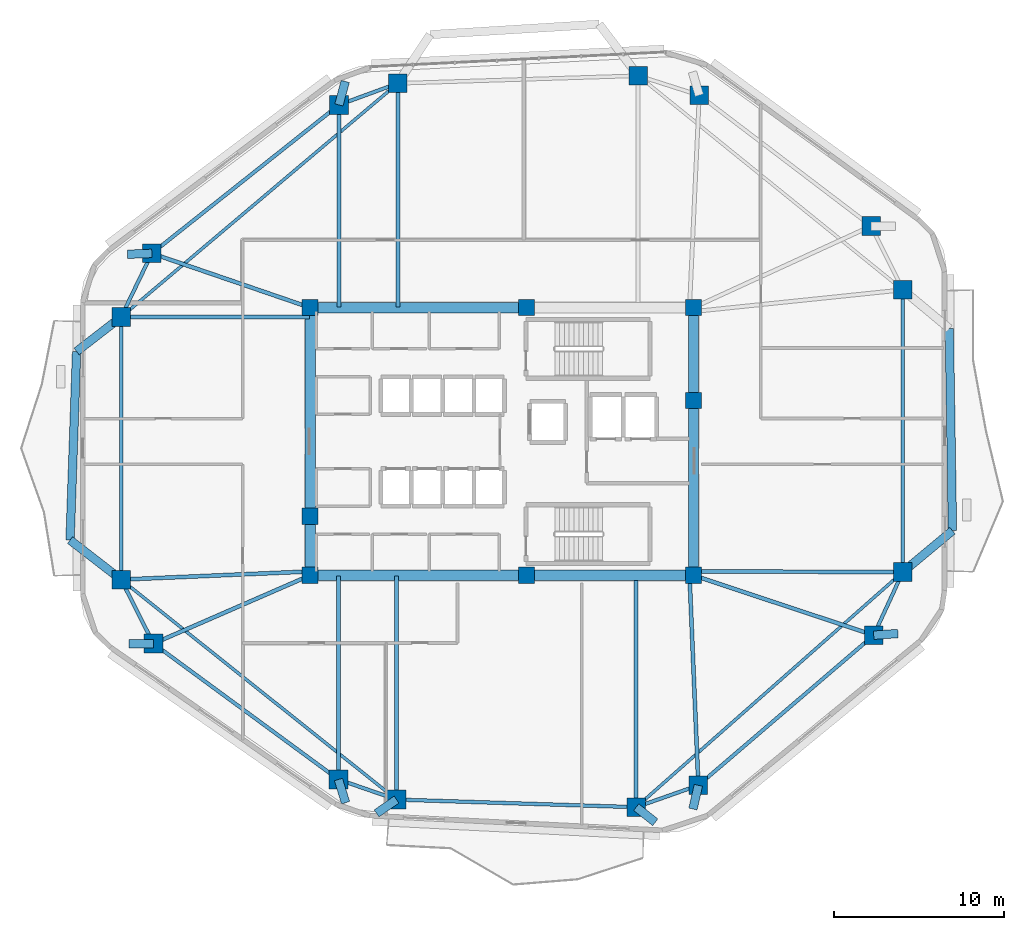
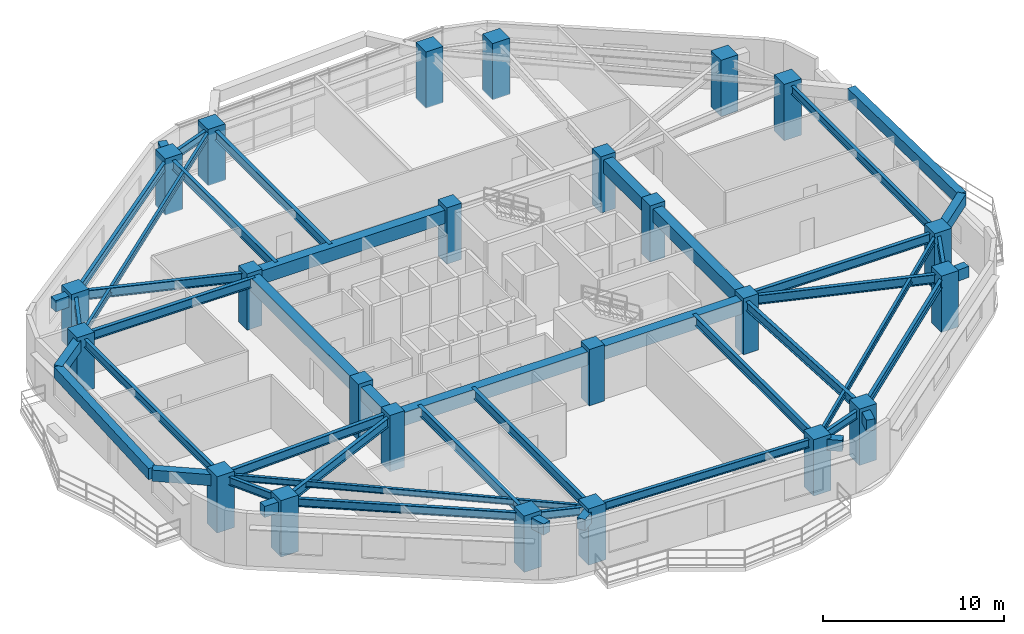
# One storey, part 1 of 14: 47 beams, 24 columns.
"""IFC4 building model written with IfcOpenShell, lengths in metres."""

import ifcopenshell
import ifcopenshell.guid

model = None  # the IFC model being written
_history = None  # IfcOwnerHistory: only IFC2X3 demands one
_inside = {}  # id of a spatial element -> (the spatial element, [elements in it])
_under = {}  # id of a project, library or spatial element -> (it, [spatial elements below it])
_declared = {}  # id of a project -> (the project, [libraries it declares])
_typed = {}  # id of a type object -> (the type object, [elements of that type])
_made_of = {}  # id of a material, layer set ... -> (it, [elements and type objects made of it])


def new_model(schema):
    """Start an empty IFC model of exactly this schema.

    Asked for "IFC4X3", IfcOpenShell would pick the latest addendum, in which some entities
    have other attributes; the version numbers below select the first issue.
    IFC2X3 requires an IfcOwnerHistory on every rooted entity: one is made here for all.
    """
    global model, _history
    if schema == "IFC4X3":
        model = ifcopenshell.file(schema_version=(4, 3, 0, 0))
    else:
        model = ifcopenshell.file(schema=schema)
    _inside.clear()
    _under.clear()
    _declared.clear()
    _typed.clear()
    _made_of.clear()
    _history = None
    if model.schema == "IFC2X3":
        org = make("IfcOrganization", Name="unknown")
        user = make(
            "IfcPersonAndOrganization",
            ThePerson=make("IfcPerson", FamilyName="unknown"),
            TheOrganization=org,
        )
        app = make(
            "IfcApplication",
            ApplicationDeveloper=org,
            Version="unknown",
            ApplicationFullName="unknown",
            ApplicationIdentifier="unknown",
        )
        _history = make(
            "IfcOwnerHistory",
            OwningUser=user,
            OwningApplication=app,
            ChangeAction="ADDED",
            CreationDate=0,
        )
    return model


def make(cls, **values):
    """One entity of the class cls with the attributes given. An attribute that is None is left unset."""
    return model.create_entity(
        cls, **{name: value for name, value in values.items() if value is not None}
    )


def rooted(cls, **values):
    """An entity with a GlobalId (a new one), such as an element, a storey or a relation."""
    return make(cls, GlobalId=ifcopenshell.guid.new(), OwnerHistory=_history, **values)


def si_unit(unit_type, name, prefix=None):
    """IfcSIUnit, for example si_unit("LENGTHUNIT", "METRE", prefix="MILLI")."""
    return make("IfcSIUnit", UnitType=unit_type, Prefix=prefix, Name=name)


def assignment(units):
    """IfcUnitAssignment: the units of a project."""
    return None if units is None else make("IfcUnitAssignment", Units=units)


def point(xyz):
    """IfcCartesianPoint."""
    return None if xyz is None else make("IfcCartesianPoint", Coordinates=xyz)


def direction(xyz):
    """IfcDirection."""
    return None if xyz is None else make("IfcDirection", DirectionRatios=xyz)


def frame(location, z_axis=None, x_axis=None):
    """IfcAxis2Placement3D, a coordinate frame: its origin and axes. An axis left out is left unset."""
    return make(
        "IfcAxis2Placement3D",
        Location=point(location),
        Axis=direction(z_axis),
        RefDirection=direction(x_axis),
    )


def frame_2d(location, x_axis=None):
    """IfcAxis2Placement2D, a coordinate frame in the plane: its origin and x axis."""
    return make(
        "IfcAxis2Placement2D", Location=point(location), RefDirection=direction(x_axis)
    )


def origin():
    """The frame at (0, 0, 0) with its axes left unset."""
    return frame((0.0, 0.0, 0.0))


def origin_2d():
    """The frame at (0, 0) in the plane with its x axis left unset."""
    return frame_2d((0.0, 0.0))


def place(relative_to, where):
    """IfcLocalPlacement: puts the frame where relative to a parent placement (None: the world)."""
    return make(
        "IfcLocalPlacement", PlacementRelTo=relative_to, RelativePlacement=where
    )


def context(
    kind, dimensions, precision=None, world=None, true_north=None, identifier=None
):
    """IfcGeometricRepresentationContext, for example the 3D "Model" context."""
    return make(
        "IfcGeometricRepresentationContext",
        ContextIdentifier=identifier,
        ContextType=kind,
        CoordinateSpaceDimension=dimensions,
        Precision=precision,
        WorldCoordinateSystem=world,
        TrueNorth=true_north,
    )


def subcontext(parent, identifier, kind, view, scale=None):
    """IfcGeometricRepresentationSubContext, for example "Body" below "Model"."""
    return make(
        "IfcGeometricRepresentationSubContext",
        ContextIdentifier=identifier,
        ContextType=kind,
        ParentContext=parent,
        TargetScale=scale,
        TargetView=view,
    )


def project(units=None, contexts=None):
    """IfcProject with its units and contexts."""
    return rooted(
        "IfcProject",
        Name="project",
        RepresentationContexts=contexts,
        UnitsInContext=assignment(units),
    )


def spatial(cls, under=None, at=None, **own):
    """A site, building, storey or space (cls), placed at a placement, below another one or the project."""
    s = rooted(cls, ObjectPlacement=at, **own)
    if under is not None:
        _under.setdefault(under.id(), (under, []))[1].append(s)
    return s


def profile(cls, at=None, kind="AREA", **sizes):
    """A parametric profile (cls). Its sizes go by their IFC names, for example OverallWidth=200.0."""
    return make(cls, ProfileType=kind, Position=at, **sizes)


def rectangle(**sizes):
    """IfcRectangleProfileDef."""
    return profile("IfcRectangleProfileDef", **sizes)


def i_section(**sizes):
    """IfcIShapeProfileDef."""
    return profile("IfcIShapeProfileDef", **sizes)


def extrude(swept, where, along, depth):
    """IfcExtrudedAreaSolid: the profile swept, set in the frame where, extruded along a direction by depth."""
    return make(
        "IfcExtrudedAreaSolid",
        SweptArea=swept,
        Position=where,
        ExtrudedDirection=direction(along),
        Depth=depth,
    )


def shape(context_of_items, identifier, shape_type, items):
    """IfcShapeRepresentation: the items that make up one representation, for example the "Body"."""
    return make(
        "IfcShapeRepresentation",
        ContextOfItems=context_of_items,
        RepresentationIdentifier=identifier,
        RepresentationType=shape_type,
        Items=items,
    )


def material(Name=None, Category=None):
    """IfcMaterial."""
    return make("IfcMaterial", Name=Name, Category=Category)


def material_profile(
    of_material, cross_section, Name=None, Category=None, Priority=None
):
    """IfcMaterialProfile: a cross section and its material."""
    return make(
        "IfcMaterialProfile",
        Name=Name,
        Material=of_material,
        Profile=cross_section,
        Priority=Priority,
        Category=Category,
    )


def profile_set(profiles, Name=None, composite=None):
    """IfcMaterialProfileSet."""
    return make(
        "IfcMaterialProfileSet",
        Name=Name,
        MaterialProfiles=profiles,
        CompositeProfile=composite,
    )


def made_of(thing, what):
    """Note that an element or type object is made of a material, layer set ...; save() writes the relation."""
    if what is not None:
        _made_of.setdefault(what.id(), (what, []))[1].append(thing)
    return thing


def type_object(cls, material=None, **own):
    """A type object (cls), such as IfcWallType, which elements share."""
    return made_of(rooted(cls, **own), material)


def element(
    cls,
    number,
    at=None,
    inside=None,
    cuts=None,
    type_object=None,
    material=None,
    context=None,
    identifier="Body",
    shape_type=None,
    held_by="IfcProductDefinitionShape",
    body=None,
    shapes=None,
    **own,
):
    """One element of the class cls, such as IfcWall. Its Tag is "e" and its number.

    at: its placement. inside: the storey or other place that contains it. cuts: it is an
    opening in that element (IfcRelVoidsElement). A single representation is given by context,
    identifier, shape_type and body (its items); several are given by shapes. held_by: the class
    of the entity that holds the representations. save() writes the other relations.
    """
    e = rooted(cls, Tag="e%d" % number, ObjectPlacement=at, **own)
    if body is not None:
        shapes = [shape(context, identifier, shape_type, body)]
    if shapes is not None:
        e.Representation = make(held_by, Representations=shapes)
    if inside is not None:
        _inside.setdefault(inside.id(), (inside, []))[1].append(e)
    if cuts is not None:
        rooted(
            "IfcRelVoidsElement", RelatingBuildingElement=cuts, RelatedOpeningElement=e
        )
    if type_object is not None:
        _typed.setdefault(type_object.id(), (type_object, []))[1].append(e)
    return made_of(e, material)


def aggregate(whole, parts):
    """IfcRelAggregates: a whole, such as a stair, and the parts it consists of."""
    return rooted("IfcRelAggregates", RelatingObject=whole, RelatedObjects=parts)


def save(model, path):
    """Write the relations noted so far, then the file.

    IfcRelAggregates (storeys below a building ...), IfcRelContainedInSpatialStructure (elements
    in a storey), IfcRelDefinesByType, IfcRelAssociatesMaterial and IfcRelDeclares: one each for
    every whole, place, type object, material and project.
    """
    for whole, parts in _under.values():
        aggregate(whole, parts)
    for where, things in _inside.values():
        rooted(
            "IfcRelContainedInSpatialStructure",
            RelatedElements=things,
            RelatingStructure=where,
        )
    for kind, things in _typed.values():
        rooted("IfcRelDefinesByType", RelatedObjects=things, RelatingType=kind)
    for what, things in _made_of.values():
        rooted("IfcRelAssociatesMaterial", RelatedObjects=things, RelatingMaterial=what)
    for by, libraries in _declared.values():
        rooted("IfcRelDeclares", RelatingContext=by, RelatedDefinitions=libraries)
    model.write(path)


model = new_model("IFC4")

# Units and contexts
model_context = context("Model", 3, precision=1e-05, world=origin(), true_north=direction((0.0, 1.0)))
body_context = subcontext(model_context, "Body", "Model", "MODEL_VIEW")
ifc_project = project(units=[si_unit("LENGTHUNIT", "METRE"), si_unit("AREAUNIT", "SQUARE_METRE"), si_unit("VOLUMEUNIT", "CUBIC_METRE"), si_unit("PLANEANGLEUNIT", "RADIAN"), si_unit("MASSUNIT", "GRAM", prefix="KILO")], contexts=[model_context])

# Site, building, storey
site_placement = place(None, origin())
site = spatial("IfcSite", under=ifc_project, at=site_placement, CompositionType="ELEMENT")
building_placement = place(site_placement, origin())
building = spatial("IfcBuilding", under=site, at=building_placement, Name="Zulverin Broadcast Headquarters", CompositionType="ELEMENT")
storey_placement = place(building_placement, frame((0.0, 0.0, 147.800048828125)))
storey = spatial("IfcBuildingStorey", under=building, at=storey_placement, Name="L37", CompositionType="ELEMENT", Elevation=147.800048828125)

# Columns
ifc_material_1 = material(Name="Concrete C60/75", Category="concrete")
ifc_material_profile_1 = material_profile(ifc_material_1, rectangle(XDim=1.10009765625, YDim=1.10009765625, at=origin_2d()), Name="Concrete C60/75", Category="concrete")
ifc_profile_set_1 = profile_set([ifc_material_profile_1], Name="Concrete C60/75")
column_type_1 = type_object("IfcColumnType", Name="COL-RC-1100", PredefinedType="COLUMN", material=ifc_profile_set_1)
for number, where, z_axis, x_axis, name in (
    (1, (30.80859375, 4.12744140625, 0.0), (0.0, 0.0, 1.0), (1.0, 0.0, 0.0), "L37 Perimeter Column T01"),
    (2, (44.909912109375, 3.68017578125, 0.0), (0.0, 0.0, 1.0), (1.0, 0.0, 0.0), "L37 Perimeter Column T02"),
    (3, (48.569580078125, 4.967041015625, 0.0), (0.0, 0.0, 1.0), (1.0, 0.0, 0.0), "L37 Perimeter Column T03"),
    (4, (58.886962890625, 13.798095703125, 0.0), (0.0, 0.0, 1.0), (1.0, 0.0, 0.0), "L37 Perimeter Column T04"),
    (5, (60.60009765625, 17.519287109375, 0.0), (0.0, 0.0, 1.0), (1.0, 0.0, 0.0), "L37 Perimeter Column T05"),
    (6, (60.60009765625, 34.12158203125, 0.0), (0.0, 0.0, 1.0), (1.0, 0.0, 0.0), "L37 Perimeter Column T06"),
    (7, (58.738037109375, 37.877685546875, 0.0), (0.0, 0.0, 1.0), (1.0, 0.0, 0.0), "L37 Perimeter Column T07"),
    (8, (48.62158203125, 45.574951171875, 0.0), (0.0, 0.0, 1.0), (1.0, 0.0, 0.0), "L37 Perimeter Column T08"),
    (9, (45.027587890625, 46.7236328125, 0.0), (0.0, 0.0, 1.0), (1.0, 0.0, 0.0), "L37 Perimeter Column T09"),
    (10, (30.882080078125, 46.27490234375, 0.0), (0.0, 0.0, 1.0), (1.0, 0.0, 0.0), "L37 Perimeter Column T10"),
    (11, (27.416259765625, 45.00439453125, 0.0), (0.0, 0.0, 1.0), (1.0, 0.0, 0.0), "L37 Perimeter Column T11"),
    (12, (16.40869140625, 36.26806640625, 0.0), (0.0, 0.0, 1.0), (1.0, 0.0, 0.0), "L37 Perimeter Column T12"),
    (13, (14.60009765625, 32.523193359375, 0.0), (0.0, 0.0, 1.0), (1.0, 0.0, 0.0), "L37 Perimeter Column T13"),
    (14, (14.60009765625, 17.072021484375, 0.0), (0.0, 0.0, 1.0), (1.0, 0.0, 0.0), "L37 Perimeter Column T14"),
    (15, (16.50537109375, 13.306884765625, 0.0), (0.0, 0.0, 1.0), (1.0, 0.0, 0.0), "L37 Perimeter Column T15"),
    (16, (27.38720703125, 5.309814453125, 0.0), (0.0, 0.0, 1.0), (1.0, 0.0, 0.0), "L37 Perimeter Column T16"),
):
    element("IfcColumn", number, at=place(storey_placement, frame(where, z_axis=z_axis, x_axis=x_axis)), inside=storey, type_object=column_type_1, Name=name, PredefinedType="COLUMN", context=body_context, shape_type="SweptSolid", body=[
        extrude(rectangle(XDim=1.10009765625, YDim=1.10009765625, at=origin_2d()), origin(), (0.0, 0.0, 1.0), 3.800048828125),
    ])
ifc_material_2 = material(Name="Concrete C50/60", Category="concrete")
ifc_material_profile_2 = material_profile(ifc_material_2, rectangle(XDim=0.949951171875, YDim=0.949951171875, at=origin_2d()), Name="Concrete C50/60", Category="concrete")
ifc_profile_set_2 = profile_set([ifc_material_profile_2], Name="Concrete C50/60")
column_type_2 = type_object("IfcColumnType", Name="PIL-RC-950", PredefinedType="PILASTER", material=ifc_profile_set_2)
for number, where, z_axis, x_axis, name in (
    (17, (25.72509765625, 17.324951171875, 0.0), (0.0, 0.0, 1.0), (1.0, 0.0, 0.0), "L37 Core Pilaster K01"),
    (18, (38.449951171875, 17.324951171875, 0.0), (0.0, 0.0, 1.0), (1.0, 0.0, 0.0), "L37 Core Pilaster K02"),
    (19, (48.27490234375, 17.324951171875, 0.0), (0.0, 0.0, 1.0), (1.0, 0.0, 0.0), "L37 Core Pilaster K03"),
    (20, (48.27490234375, 27.6201171875, 0.0), (0.0, 0.0, 1.0), (1.0, 0.0, 0.0), "L37 Core Pilaster K04"),
    (21, (48.27490234375, 33.074951171875, 0.0), (0.0, 0.0, 1.0), (1.0, 0.0, 0.0), "L37 Core Pilaster K05"),
    (22, (38.449951171875, 33.074951171875, 0.0), (0.0, 0.0, 1.0), (1.0, 0.0, 0.0), "L37 Core Pilaster K06"),
    (23, (25.72509765625, 33.074951171875, 0.0), (0.0, 0.0, 1.0), (1.0, 0.0, 0.0), "L37 Core Pilaster K07"),
    (24, (25.72509765625, 20.800048828125, 0.0), (0.0, 0.0, 1.0), (1.0, 0.0, 0.0), "L37 Core Pilaster K08"),
):
    element("IfcColumn", number, at=place(storey_placement, frame(where, z_axis=z_axis, x_axis=x_axis)), inside=storey, type_object=column_type_2, Name=name, PredefinedType="PILASTER", context=body_context, shape_type="SweptSolid", body=[
        extrude(rectangle(XDim=0.949951171875, YDim=0.949951171875, at=origin_2d()), origin(), (0.0, 0.0, 1.0), 3.800048828125),
    ])

# Beams
ifc_material_profile_3 = material_profile(ifc_material_1, rectangle(XDim=0.60009765625, YDim=0.89990234375, at=origin_2d()), Name="Concrete C60/75", Category="concrete")
ifc_profile_set_3 = profile_set([ifc_material_profile_3], Name="Concrete C60/75")
beam_type_1 = type_object("IfcBeamType", Name="BM-CB-600x900", PredefinedType="LINTEL", material=ifc_profile_set_3)
beam_1_placement = place(storey_placement, frame((25.72509765625, 17.324951171875, 3.08984375), z_axis=(1.0, 0.0, 0.0), x_axis=(0.0, 1.0, 0.0)))
element("IfcBeam", 25, at=beam_1_placement, inside=storey, type_object=beam_type_1, Name="L37 Core Coupling Girder K01-K02", PredefinedType="LINTEL", context=body_context, shape_type="SweptSolid", body=[
    extrude(rectangle(XDim=0.60009765625, YDim=0.89990234375, at=origin_2d()), origin(), (0.0, 0.0, 1.0), 12.724853515625),
])
beam_2_placement = place(storey_placement, frame((38.449951171875, 17.324951171875, 3.08984375), z_axis=(1.0, 0.0, 0.0), x_axis=(0.0, 1.0, 0.0)))
element("IfcBeam", 26, at=beam_2_placement, inside=storey, type_object=beam_type_1, Name="L37 Core Coupling Girder K02-K03", PredefinedType="LINTEL", context=body_context, shape_type="SweptSolid", body=[
    extrude(rectangle(XDim=0.60009765625, YDim=0.89990234375, at=origin_2d()), origin(), (0.0, 0.0, 1.0), 9.824951171875),
])
beam_3_placement = place(storey_placement, frame((48.27490234375, 17.324951171875, 3.08984375), z_axis=(0.0, 1.0, 0.0), x_axis=(-1.0, 0.0, 0.0)))
element("IfcBeam", 27, at=beam_3_placement, inside=storey, type_object=beam_type_1, Name="L37 Core Coupling Girder K03-K04", PredefinedType="LINTEL", context=body_context, shape_type="SweptSolid", body=[
    extrude(rectangle(XDim=0.60009765625, YDim=0.89990234375, at=origin_2d()), origin(), (0.0, 0.0, 1.0), 10.295166015625),
])
beam_4_placement = place(storey_placement, frame((48.27490234375, 27.6201171875, 3.08984375), z_axis=(0.0, 1.0, 0.0), x_axis=(-1.0, 0.0, 0.0)))
element("IfcBeam", 28, at=beam_4_placement, inside=storey, type_object=beam_type_1, Name="L37 Core Coupling Girder K04-K05", PredefinedType="LINTEL", context=body_context, shape_type="SweptSolid", body=[
    extrude(rectangle(XDim=0.60009765625, YDim=0.89990234375, at=origin_2d()), origin(), (0.0, 0.0, 1.0), 5.454833984375),
])
beam_5_placement = place(storey_placement, frame((38.449951171875, 33.074951171875, 3.08984375), z_axis=(-1.0, 0.0, 0.0), x_axis=(0.0, -1.0, 0.0)))
element("IfcBeam", 29, at=beam_5_placement, inside=storey, type_object=beam_type_1, Name="L37 Core Coupling Girder K06-K07", PredefinedType="LINTEL", context=body_context, shape_type="SweptSolid", body=[
    extrude(rectangle(XDim=0.60009765625, YDim=0.89990234375, at=origin_2d()), origin(), (0.0, 0.0, 1.0), 12.724853515625),
])
beam_6_placement = place(storey_placement, frame((25.72509765625, 33.074951171875, 3.08984375), z_axis=(0.0, -1.0, 0.0), x_axis=(1.0, 0.0, 0.0)))
element("IfcBeam", 30, at=beam_6_placement, inside=storey, type_object=beam_type_1, Name="L37 Core Coupling Girder K07-K08", PredefinedType="LINTEL", context=body_context, shape_type="SweptSolid", body=[
    extrude(rectangle(XDim=0.60009765625, YDim=0.89990234375, at=origin_2d()), origin(), (0.0, 0.0, 1.0), 12.27490234375),
])
beam_7_placement = place(storey_placement, frame((25.72509765625, 20.800048828125, 3.08984375), z_axis=(0.0, -1.0, 0.0), x_axis=(1.0, 0.0, 0.0)))
element("IfcBeam", 31, at=beam_7_placement, inside=storey, type_object=beam_type_1, Name="L37 Core Coupling Girder K08-K01", PredefinedType="LINTEL", context=body_context, shape_type="SweptSolid", body=[
    extrude(rectangle(XDim=0.60009765625, YDim=0.89990234375, at=origin_2d()), origin(), (0.0, 0.0, 1.0), 3.47509765625),
])
ifc_material_3 = material(Name="Concrete C40/50", Category="concrete")
ifc_material_profile_4 = material_profile(ifc_material_3, rectangle(XDim=0.5, YDim=0.75, at=origin_2d()), Name="Concrete C40/50", Category="concrete")
ifc_profile_set_4 = profile_set([ifc_material_profile_4], Name="Concrete C40/50")
beam_type_2 = type_object("IfcBeamType", Name="BM-RC-500x750", PredefinedType="BEAM", material=ifc_profile_set_4)
beam_8_placement = place(storey_placement, frame((30.80859375, 4.12744140625, 3.1650390625), z_axis=(-0.822689690684, -0.568490697235, 0.0), x_axis=(0.568490697235, -0.822689690684, 0.0)))
element("IfcBeam", 32, at=beam_8_placement, inside=storey, type_object=beam_type_2, Name="L38 Plate Overhang Back-Spanned Beam OVR-01", PredefinedType="BEAM", context=body_context, shape_type="SweptSolid", body=[
    extrude(rectangle(XDim=0.5, YDim=0.75, at=origin_2d()), origin(), (0.0, 0.0, 1.0), 1.43017578125),
])
beam_9_placement = place(storey_placement, frame((44.909912109375, 3.68017578125, 3.1650390625), z_axis=(0.784900247321, -0.619622144339, 0.0), x_axis=(0.619622144339, 0.784900247321, 0.0)))
element("IfcBeam", 33, at=beam_9_placement, inside=storey, type_object=beam_type_2, Name="L38 Plate Overhang Back-Spanned Beam OVR-02", PredefinedType="BEAM", context=body_context, shape_type="SweptSolid", body=[
    extrude(rectangle(XDim=0.5, YDim=0.75, at=origin_2d()), origin(), (0.0, 0.0, 1.0), 1.429931640625),
])
for number, where, z_axis, x_axis, name in (
    (34, (48.569580078125, 4.967041015625, 3.1650390625), (-0.224497908308, -0.974474570815, 0.0), (0.974474570815, -0.224497908308, 0.0), "L38 Plate Overhang Back-Spanned Beam OVR-03"),
    (35, (58.886962890625, 13.798095703125, 3.1650390625), (0.997450894981, 0.071356233801, 0.0), (-0.071356233801, 0.997450894981, 0.0), "L38 Plate Overhang Back-Spanned Beam OVR-04"),
    (36, (27.416259765625, 45.00439453125, 3.1650390625), (0.260328526912, 0.965520097189, 0.0), (-0.965520097189, 0.260328526912, 0.0), "L38 Plate Overhang Back-Spanned Beam OVR-11"),
):
    element("IfcBeam", number, at=place(storey_placement, frame(where, z_axis=z_axis, x_axis=x_axis)), inside=storey, type_object=beam_type_2, Name=name, PredefinedType="BEAM", context=body_context, shape_type="SweptSolid", body=[
        extrude(rectangle(XDim=0.5, YDim=0.75, at=origin_2d()), origin(), (0.0, 0.0, 1.0), 1.43017578125),
    ])
for number, where, z_axis, x_axis, name in (
    (37, (16.40869140625, 36.26806640625, 3.1650390625), (-0.999411057508, -0.034315275463, 0.0), (0.034315275463, -0.999411057508, 0.0), "L38 Plate Overhang Back-Spanned Beam OVR-12"),
    (38, (16.50537109375, 13.306884765625, 3.1650390625), (-0.999996268726, -0.002731763753, 0.0), (0.002731763753, -0.999996268726, 0.0), "L38 Plate Overhang Back-Spanned Beam OVR-15"),
):
    element("IfcBeam", number, at=place(storey_placement, frame(where, z_axis=z_axis, x_axis=x_axis)), inside=storey, type_object=beam_type_2, Name=name, PredefinedType="BEAM", context=body_context, shape_type="SweptSolid", body=[
        extrude(rectangle(XDim=0.5, YDim=0.75, at=origin_2d()), origin(), (0.0, 0.0, 1.0), 1.429931640625),
    ])
beam_10_placement = place(storey_placement, frame((27.38720703125, 5.309814453125, 3.1650390625), z_axis=(0.296184429368, -0.955130767905, 0.0), x_axis=(0.955130767905, 0.296184429368, 0.0)))
element("IfcBeam", 39, at=beam_10_placement, inside=storey, type_object=beam_type_2, Name="L38 Plate Overhang Back-Spanned Beam OVR-16", PredefinedType="BEAM", context=body_context, shape_type="SweptSolid", body=[
    extrude(rectangle(XDim=0.5, YDim=0.75, at=origin_2d()), origin(), (0.0, 0.0, 1.0), 1.43017578125),
])
beam_11_placement = place(storey_placement, frame((60.60009765625, 17.519287109375, 3.1650390625), z_axis=(0.768400300007, 0.639969514078, 0.0), x_axis=(-0.639969514078, 0.768400300007, 0.0)))
element("IfcBeam", 40, at=beam_11_placement, inside=storey, type_object=beam_type_2, Name="L38 Balcony Column-Framed Cantilever BAL_E-1", PredefinedType="BEAM", context=body_context, shape_type="SweptSolid", body=[
    extrude(rectangle(XDim=0.5, YDim=0.75, at=origin_2d()), origin(), (0.0, 0.0, 1.0), 3.800048828125),
])
beam_12_placement = place(storey_placement, frame((63.52001953125, 19.951171875, 3.1650390625), z_axis=(-0.015457308466, 0.999880528671, 0.0), x_axis=(-0.999880528671, -0.015457308466, 0.0)))
element("IfcBeam", 41, at=beam_12_placement, inside=storey, type_object=beam_type_2, Name="L38 Balcony Outer Edge Trimmer Beam BAL_E", PredefinedType="BEAM", context=body_context, shape_type="SweptSolid", body=[
    extrude(rectangle(XDim=0.5, YDim=0.75, at=origin_2d()), origin(), (0.0, 0.0, 1.0), 11.893310546875),
])
beam_13_placement = place(storey_placement, frame((14.60009765625, 32.523193359375, 3.1650390625), z_axis=(-0.790639723591, -0.612281656985, 0.0), x_axis=(0.612281656985, -0.790639723591, 0.0)))
element("IfcBeam", 42, at=beam_13_placement, inside=storey, type_object=beam_type_2, Name="L38 Balcony Column-Framed Cantilever BAL_W-1", PredefinedType="BEAM", context=body_context, shape_type="SweptSolid", body=[
    extrude(rectangle(XDim=0.5, YDim=0.75, at=origin_2d()), origin(), (0.0, 0.0, 1.0), 3.31396484375),
])
beam_14_placement = place(storey_placement, frame((14.60009765625, 17.072021484375, 3.1650390625), z_axis=(-0.790637422513, 0.612284628356, 0.0), x_axis=(-0.612284628356, -0.790637422513, 0.0)))
element("IfcBeam", 43, at=beam_14_placement, inside=storey, type_object=beam_type_2, Name="L38 Balcony Column-Framed Cantilever BAL_W-2", PredefinedType="BEAM", context=body_context, shape_type="SweptSolid", body=[
    extrude(rectangle(XDim=0.5, YDim=0.75, at=origin_2d()), origin(), (0.0, 0.0, 1.0), 3.800048828125),
])
beam_15_placement = place(storey_placement, frame((11.97998046875, 30.494140625, 3.1650390625), z_axis=(-0.034612996338, -0.999400790716, 0.0), x_axis=(0.999400790716, -0.034612996338, 0.0)))
element("IfcBeam", 44, at=beam_15_placement, inside=storey, type_object=beam_type_2, Name="L38 Balcony Outer Edge Trimmer Beam BAL_W", PredefinedType="BEAM", context=body_context, shape_type="SweptSolid", body=[
    extrude(rectangle(XDim=0.5, YDim=0.75, at=origin_2d()), origin(), (0.0, 0.0, 1.0), 11.10205078125),
])
ifc_material_4 = material(Name="Structural steel S355JR", Category="steel")
ifc_material_profile_5 = material_profile(ifc_material_4, i_section(OverallWidth=0.179443359375, OverallDepth=0.412841796875, WebThickness=0.009521484375, FlangeThickness=0.01611328125, at=origin_2d()), Name="Structural steel S355JR", Category="steel")
ifc_profile_set_5 = profile_set([ifc_material_profile_5], Name="Structural steel S355JR")
beam_type_3 = type_object("IfcBeamType", Name="BM-UB-406", PredefinedType="JOIST", material=ifc_profile_set_5)
beam_16_placement = place(storey_placement, frame((44.909912109375, 3.68017578125, 3.33349609375), z_axis=(0.74996043981, 0.661482682102, 0.0), x_axis=(-0.661482682102, 0.74996043981, 0.0)))
element("IfcBeam", 45, at=beam_16_placement, inside=storey, type_object=beam_type_3, Name="L37 Chordal Floor Joist J-01", PredefinedType="JOIST", context=body_context, shape_type="SweptSolid", body=[
    extrude(i_section(OverallWidth=0.179443359375, OverallDepth=0.412841796875, WebThickness=0.009521484375, FlangeThickness=0.01611328125, at=origin_2d()), origin(), (0.0, 0.0, 1.0), 20.92138671875),
])
beam_17_placement = place(storey_placement, frame((30.882080078125, 46.27490234375, 3.33349609375), z_axis=(-0.763972566446, -0.645248725468, 0.0), x_axis=(0.645248725468, -0.763972566446, 0.0)))
element("IfcBeam", 46, at=beam_17_placement, inside=storey, type_object=beam_type_3, Name="L37 Chordal Floor Joist J-03", PredefinedType="JOIST", context=body_context, shape_type="SweptSolid", body=[
    extrude(i_section(OverallWidth=0.179443359375, OverallDepth=0.412841796875, WebThickness=0.009521484375, FlangeThickness=0.01611328125, at=origin_2d()), origin(), (0.0, 0.0, 1.0), 21.312255859375),
])
beam_18_placement = place(storey_placement, frame((14.60009765625, 17.072021484375, 3.33349609375), z_axis=(0.781390996609, -0.624041753746, 0.0), x_axis=(0.624041753746, 0.781390996609, 0.0)))
element("IfcBeam", 47, at=beam_18_placement, inside=storey, type_object=beam_type_3, Name="L37 Chordal Floor Joist J-04", PredefinedType="JOIST", context=body_context, shape_type="SweptSolid", body=[
    extrude(i_section(OverallWidth=0.179443359375, OverallDepth=0.412841796875, WebThickness=0.009521484375, FlangeThickness=0.01611328125, at=origin_2d()), origin(), (0.0, 0.0, 1.0), 20.7431640625),
])
ifc_material_profile_6 = material_profile(ifc_material_4, i_section(OverallWidth=0.2119140625, OverallDepth=0.54443359375, WebThickness=0.0126953125, FlangeThickness=0.021240234375, at=origin_2d()), Name="Structural steel S355JR", Category="steel")
ifc_profile_set_6 = profile_set([ifc_material_profile_6], Name="Structural steel S355JR")
beam_type_4 = type_object("IfcBeamType", Name="BM-UB-533", PredefinedType="SPANDREL", material=ifc_profile_set_6)
beam_19_placement = place(storey_placement, frame((30.80859375, 4.12744140625, 3.267578125), z_axis=(0.999497363437, -0.031702058031, 0.0), x_axis=(0.031702058031, 0.999497363437, 0.0)))
element("IfcBeam", 48, at=beam_19_placement, inside=storey, type_object=beam_type_4, Name="L37 Perimeter Spandrel Beam SP-01", PredefinedType="SPANDREL", context=body_context, shape_type="SweptSolid", body=[
    extrude(i_section(OverallWidth=0.2119140625, OverallDepth=0.54443359375, WebThickness=0.0126953125, FlangeThickness=0.021240234375, at=origin_2d()), origin(), (0.0, 0.0, 1.0), 14.1083984375),
])
beam_20_placement = place(storey_placement, frame((44.909912109375, 3.68017578125, 3.267578125), z_axis=(0.943376593622, 0.331723684121, 0.0), x_axis=(-0.331723684121, 0.943376593622, 0.0)))
element("IfcBeam", 49, at=beam_20_placement, inside=storey, type_object=beam_type_4, Name="L37 Perimeter Spandrel Beam SP-02", PredefinedType="SPANDREL", context=body_context, shape_type="SweptSolid", body=[
    extrude(i_section(OverallWidth=0.2119140625, OverallDepth=0.54443359375, WebThickness=0.0126953125, FlangeThickness=0.021240234375, at=origin_2d()), origin(), (0.0, 0.0, 1.0), 3.87939453125),
])
beam_21_placement = place(storey_placement, frame((48.569580078125, 4.967041015625, 3.267578125), z_axis=(0.759708170965, 0.650264173217, 0.0), x_axis=(-0.650264173217, 0.759708170965, 0.0)))
element("IfcBeam", 50, at=beam_21_placement, inside=storey, type_object=beam_type_4, Name="L37 Perimeter Spandrel Beam SP-03", PredefinedType="SPANDREL", context=body_context, shape_type="SweptSolid", body=[
    extrude(i_section(OverallWidth=0.2119140625, OverallDepth=0.54443359375, WebThickness=0.0126953125, FlangeThickness=0.021240234375, at=origin_2d()), origin(), (0.0, 0.0, 1.0), 13.580810546875),
])
beam_22_placement = place(storey_placement, frame((58.886962890625, 13.798095703125, 3.267578125), z_axis=(0.418184975358, 0.90836189175, 0.0), x_axis=(-0.90836189175, 0.418184975358, 0.0)))
element("IfcBeam", 51, at=beam_22_placement, inside=storey, type_object=beam_type_4, Name="L37 Perimeter Spandrel Beam SP-04", PredefinedType="SPANDREL", context=body_context, shape_type="SweptSolid", body=[
    extrude(i_section(OverallWidth=0.2119140625, OverallDepth=0.54443359375, WebThickness=0.0126953125, FlangeThickness=0.021240234375, at=origin_2d()), origin(), (0.0, 0.0, 1.0), 4.0966796875),
])
beam_23_placement = place(storey_placement, frame((60.60009765625, 17.519287109375, 3.267578125), z_axis=(0.0, 1.0, 0.0), x_axis=(-1.0, 0.0, 0.0)))
element("IfcBeam", 52, at=beam_23_placement, inside=storey, type_object=beam_type_4, Name="L37 Perimeter Spandrel Beam SP-05", PredefinedType="SPANDREL", context=body_context, shape_type="SweptSolid", body=[
    extrude(i_section(OverallWidth=0.2119140625, OverallDepth=0.54443359375, WebThickness=0.0126953125, FlangeThickness=0.021240234375, at=origin_2d()), origin(), (0.0, 0.0, 1.0), 16.602294921875),
])
beam_24_placement = place(storey_placement, frame((30.882080078125, 46.27490234375, 3.267578125), z_axis=(-0.938901965426, -0.344184687805, 0.0), x_axis=(0.344184687805, -0.938901965426, 0.0)))
element("IfcBeam", 53, at=beam_24_placement, inside=storey, type_object=beam_type_4, Name="L37 Perimeter Spandrel Beam SP-10", PredefinedType="SPANDREL", context=body_context, shape_type="SweptSolid", body=[
    extrude(i_section(OverallWidth=0.2119140625, OverallDepth=0.54443359375, WebThickness=0.0126953125, FlangeThickness=0.021240234375, at=origin_2d()), origin(), (0.0, 0.0, 1.0), 3.69140625),
])
beam_25_placement = place(storey_placement, frame((27.416259765625, 45.00439453125, 3.267578125), z_axis=(-0.783283263401, -0.621664965457, 0.0), x_axis=(0.621664965457, -0.783283263401, 0.0)))
element("IfcBeam", 54, at=beam_25_placement, inside=storey, type_object=beam_type_4, Name="L37 Perimeter Spandrel Beam SP-11", PredefinedType="SPANDREL", context=body_context, shape_type="SweptSolid", body=[
    extrude(i_section(OverallWidth=0.2119140625, OverallDepth=0.54443359375, WebThickness=0.0126953125, FlangeThickness=0.021240234375, at=origin_2d()), origin(), (0.0, 0.0, 1.0), 14.05322265625),
])
beam_26_placement = place(storey_placement, frame((16.40869140625, 36.26806640625, 3.267578125), z_axis=(-0.434890248034, -0.900483465792, 0.0), x_axis=(0.900483465792, -0.434890248034, 0.0)))
element("IfcBeam", 55, at=beam_26_placement, inside=storey, type_object=beam_type_4, Name="L37 Perimeter Spandrel Beam SP-12", PredefinedType="SPANDREL", context=body_context, shape_type="SweptSolid", body=[
    extrude(i_section(OverallWidth=0.2119140625, OverallDepth=0.54443359375, WebThickness=0.0126953125, FlangeThickness=0.021240234375, at=origin_2d()), origin(), (0.0, 0.0, 1.0), 4.15869140625),
])
beam_27_placement = place(storey_placement, frame((14.60009765625, 32.523193359375, 3.267578125), z_axis=(0.0, -1.0, 0.0), x_axis=(1.0, 0.0, 0.0)))
element("IfcBeam", 56, at=beam_27_placement, inside=storey, type_object=beam_type_4, Name="L37 Perimeter Spandrel Beam SP-13", PredefinedType="SPANDREL", context=body_context, shape_type="SweptSolid", body=[
    extrude(i_section(OverallWidth=0.2119140625, OverallDepth=0.54443359375, WebThickness=0.0126953125, FlangeThickness=0.021240234375, at=origin_2d()), origin(), (0.0, 0.0, 1.0), 15.451171875),
])
beam_28_placement = place(storey_placement, frame((14.60009765625, 17.072021484375, 3.267578125), z_axis=(0.451512947895, -0.892264567201, 0.0), x_axis=(0.892264567201, 0.451512947895, 0.0)))
element("IfcBeam", 57, at=beam_28_placement, inside=storey, type_object=beam_type_4, Name="L37 Perimeter Spandrel Beam SP-14", PredefinedType="SPANDREL", context=body_context, shape_type="SweptSolid", body=[
    extrude(i_section(OverallWidth=0.2119140625, OverallDepth=0.54443359375, WebThickness=0.0126953125, FlangeThickness=0.021240234375, at=origin_2d()), origin(), (0.0, 0.0, 1.0), 4.2197265625),
])
beam_29_placement = place(storey_placement, frame((16.50537109375, 13.306884765625, 3.267578125), z_axis=(0.805802234061, -0.592184734338, 0.0), x_axis=(0.592184734338, 0.805802234061, 0.0)))
element("IfcBeam", 58, at=beam_29_placement, inside=storey, type_object=beam_type_4, Name="L37 Perimeter Spandrel Beam SP-15", PredefinedType="SPANDREL", context=body_context, shape_type="SweptSolid", body=[
    extrude(i_section(OverallWidth=0.2119140625, OverallDepth=0.54443359375, WebThickness=0.0126953125, FlangeThickness=0.021240234375, at=origin_2d()), origin(), (0.0, 0.0, 1.0), 13.50439453125),
])
beam_30_placement = place(storey_placement, frame((27.38720703125, 5.309814453125, 3.267578125), z_axis=(0.945152732867, -0.326628705956, 0.0), x_axis=(0.326628705956, 0.945152732867, 0.0)))
element("IfcBeam", 59, at=beam_30_placement, inside=storey, type_object=beam_type_4, Name="L37 Perimeter Spandrel Beam SP-16", PredefinedType="SPANDREL", context=body_context, shape_type="SweptSolid", body=[
    extrude(i_section(OverallWidth=0.2119140625, OverallDepth=0.54443359375, WebThickness=0.0126953125, FlangeThickness=0.021240234375, at=origin_2d()), origin(), (0.0, 0.0, 1.0), 3.619873046875),
])
ifc_material_profile_7 = material_profile(ifc_material_4, i_section(OverallWidth=0.230224609375, OverallDepth=0.6171875, WebThickness=0.01318359375, FlangeThickness=0.022216796875, at=origin_2d()), Name="Structural steel S355JR", Category="steel")
ifc_profile_set_7 = profile_set([ifc_material_profile_7], Name="Structural steel S355JR")
beam_type_5 = type_object("IfcBeamType", Name="BM-UB-610", PredefinedType="BEAM", material=ifc_profile_set_7)
beam_31_placement = place(storey_placement, frame((30.80859375, 17.27490234375, 3.2314453125), z_axis=(0.0, -1.0, 0.0), x_axis=(1.0, 0.0, 0.0)))
element("IfcBeam", 60, at=beam_31_placement, inside=storey, type_object=beam_type_5, Name="L37 Radial Primary Floor Beam RB-01", PredefinedType="BEAM", context=body_context, shape_type="SweptSolid", body=[
    extrude(i_section(OverallWidth=0.230224609375, OverallDepth=0.6171875, WebThickness=0.01318359375, FlangeThickness=0.022216796875, at=origin_2d()), origin(), (0.0, 0.0, 1.0), 13.1474609375),
])
beam_32_placement = place(storey_placement, frame((44.909912109375, 17.27490234375, 3.2314453125), z_axis=(0.0, -1.0, 0.0), x_axis=(1.0, 0.0, 0.0)))
element("IfcBeam", 61, at=beam_32_placement, inside=storey, type_object=beam_type_5, Name="L37 Radial Primary Floor Beam RB-02", PredefinedType="BEAM", context=body_context, shape_type="SweptSolid", body=[
    extrude(i_section(OverallWidth=0.230224609375, OverallDepth=0.6171875, WebThickness=0.01318359375, FlangeThickness=0.022216796875, at=origin_2d()), origin(), (0.0, 0.0, 1.0), 13.5947265625),
])
beam_33_placement = place(storey_placement, frame((48.050048828125, 17.27490234375, 3.2314453125), z_axis=(0.042173778549, -0.99911029041, 0.0), x_axis=(0.99911029041, 0.042173778549, 0.0)))
element("IfcBeam", 62, at=beam_33_placement, inside=storey, type_object=beam_type_5, Name="L37 Radial Primary Floor Beam RB-03", PredefinedType="BEAM", context=body_context, shape_type="SweptSolid", body=[
    extrude(i_section(OverallWidth=0.230224609375, OverallDepth=0.6171875, WebThickness=0.01318359375, FlangeThickness=0.022216796875, at=origin_2d()), origin(), (0.0, 0.0, 1.0), 12.31884765625),
])
beam_34_placement = place(storey_placement, frame((48.27490234375, 17.324951171875, 3.2314453125), z_axis=(0.948964552547, -0.315382748432, 0.0), x_axis=(0.315382748432, 0.948964552547, 0.0)))
element("IfcBeam", 63, at=beam_34_placement, inside=storey, type_object=beam_type_5, Name="L37 Radial Primary Floor Beam RB-04", PredefinedType="BEAM", context=body_context, shape_type="SweptSolid", body=[
    extrude(i_section(OverallWidth=0.230224609375, OverallDepth=0.6171875, WebThickness=0.01318359375, FlangeThickness=0.022216796875, at=origin_2d()), origin(), (0.0, 0.0, 1.0), 11.182861328125),
])
beam_35_placement = place(storey_placement, frame((48.324951171875, 17.550048828125, 3.2314453125), z_axis=(0.999996859956, -0.002506008559, 0.0), x_axis=(0.002506008559, 0.999996859956, 0.0)))
element("IfcBeam", 64, at=beam_35_placement, inside=storey, type_object=beam_type_5, Name="L37 Radial Primary Floor Beam RB-05", PredefinedType="BEAM", context=body_context, shape_type="SweptSolid", body=[
    extrude(i_section(OverallWidth=0.230224609375, OverallDepth=0.6171875, WebThickness=0.01318359375, FlangeThickness=0.022216796875, at=origin_2d()), origin(), (0.0, 0.0, 1.0), 12.275146484375),
])
beam_36_placement = place(storey_placement, frame((30.882080078125, 33.125, 3.2314453125), z_axis=(0.0, 1.0, 0.0), x_axis=(-1.0, 0.0, 0.0)))
element("IfcBeam", 65, at=beam_36_placement, inside=storey, type_object=beam_type_5, Name="L37 Radial Primary Floor Beam RB-10", PredefinedType="BEAM", context=body_context, shape_type="SweptSolid", body=[
    extrude(i_section(OverallWidth=0.230224609375, OverallDepth=0.6171875, WebThickness=0.01318359375, FlangeThickness=0.022216796875, at=origin_2d()), origin(), (0.0, 0.0, 1.0), 13.14990234375),
])
beam_37_placement = place(storey_placement, frame((27.416259765625, 33.125, 3.2314453125), z_axis=(0.0, 1.0, 0.0), x_axis=(-1.0, 0.0, 0.0)))
element("IfcBeam", 66, at=beam_37_placement, inside=storey, type_object=beam_type_5, Name="L37 Radial Primary Floor Beam RB-11", PredefinedType="BEAM", context=body_context, shape_type="SweptSolid", body=[
    extrude(i_section(OverallWidth=0.230224609375, OverallDepth=0.6171875, WebThickness=0.01318359375, FlangeThickness=0.022216796875, at=origin_2d()), origin(), (0.0, 0.0, 1.0), 11.87939453125),
])
beam_38_placement = place(storey_placement, frame((25.72509765625, 33.074951171875, 3.2314453125), z_axis=(-0.945979621685, 0.324226086793, 0.0), x_axis=(-0.324226086793, -0.945979621685, 0.0)))
element("IfcBeam", 67, at=beam_38_placement, inside=storey, type_object=beam_type_5, Name="L37 Radial Primary Floor Beam RB-12", PredefinedType="BEAM", context=body_context, shape_type="SweptSolid", body=[
    extrude(i_section(OverallWidth=0.230224609375, OverallDepth=0.6171875, WebThickness=0.01318359375, FlangeThickness=0.022216796875, at=origin_2d()), origin(), (0.0, 0.0, 1.0), 9.848388671875),
])
beam_39_placement = place(storey_placement, frame((25.675048828125, 32.523193359375, 3.2314453125), z_axis=(-1.0, 0.0, 0.0), x_axis=(0.0, -1.0, 0.0)))
element("IfcBeam", 68, at=beam_39_placement, inside=storey, type_object=beam_type_5, Name="L37 Radial Primary Floor Beam RB-13", PredefinedType="BEAM", context=body_context, shape_type="SweptSolid", body=[
    extrude(i_section(OverallWidth=0.230224609375, OverallDepth=0.6171875, WebThickness=0.01318359375, FlangeThickness=0.022216796875, at=origin_2d()), origin(), (0.0, 0.0, 1.0), 11.074951171875),
])
beam_40_placement = place(storey_placement, frame((25.675048828125, 17.550048828125, 3.2314453125), z_axis=(-0.999069780306, -0.043122779134, 0.0), x_axis=(0.043122779134, -0.999069780306, 0.0)))
element("IfcBeam", 69, at=beam_40_placement, inside=storey, type_object=beam_type_5, Name="L37 Radial Primary Floor Beam RB-14", PredefinedType="BEAM", context=body_context, shape_type="SweptSolid", body=[
    extrude(i_section(OverallWidth=0.230224609375, OverallDepth=0.6171875, WebThickness=0.01318359375, FlangeThickness=0.022216796875, at=origin_2d()), origin(), (0.0, 0.0, 1.0), 11.085205078125),
])
beam_41_placement = place(storey_placement, frame((25.72509765625, 17.324951171875, 3.2314453125), z_axis=(-0.916724690104, -0.39951951461, 0.0), x_axis=(0.39951951461, -0.916724690104, 0.0)))
element("IfcBeam", 70, at=beam_41_placement, inside=storey, type_object=beam_type_5, Name="L37 Radial Primary Floor Beam RB-15", PredefinedType="BEAM", context=body_context, shape_type="SweptSolid", body=[
    extrude(i_section(OverallWidth=0.230224609375, OverallDepth=0.6171875, WebThickness=0.01318359375, FlangeThickness=0.022216796875, at=origin_2d()), origin(), (0.0, 0.0, 1.0), 10.05712890625),
])
beam_42_placement = place(storey_placement, frame((27.38720703125, 17.27490234375, 3.2314453125), z_axis=(0.0, -1.0, 0.0), x_axis=(1.0, 0.0, 0.0)))
element("IfcBeam", 71, at=beam_42_placement, inside=storey, type_object=beam_type_5, Name="L37 Radial Primary Floor Beam RB-16", PredefinedType="BEAM", context=body_context, shape_type="SweptSolid", body=[
    extrude(i_section(OverallWidth=0.230224609375, OverallDepth=0.6171875, WebThickness=0.01318359375, FlangeThickness=0.022216796875, at=origin_2d()), origin(), (0.0, 0.0, 1.0), 11.965087890625),
])

save(model, "model.ifc")
